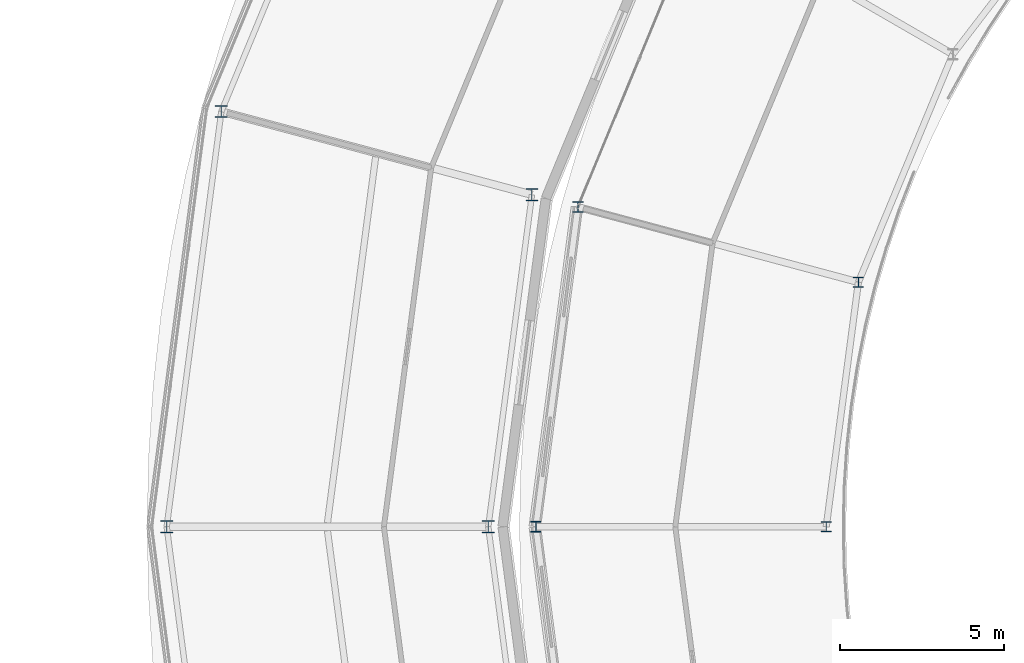
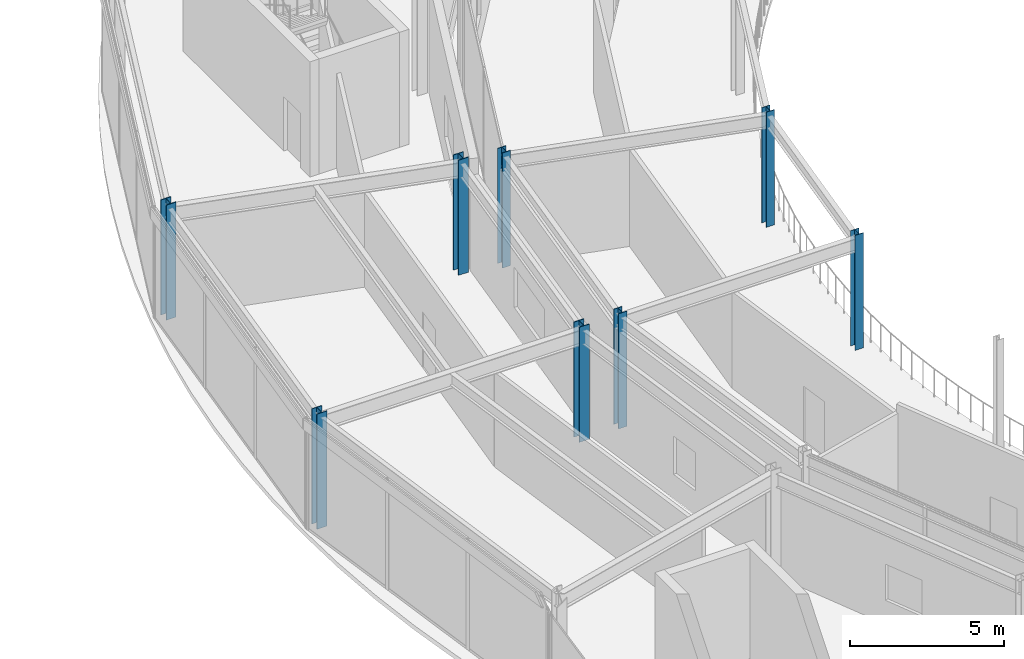
# One storey, part 5 of 157: 8 columns.
"""IFC4 building model written with IfcOpenShell, lengths in metres."""

from ifc_helpers import new_model, si_unit, direction, frame, origin, origin_2d, place, context, subcontext, project, spatial, i_section, extrude, material, material_profile, profile_set, type_object, element, save


model = new_model("IFC4")

# Units and contexts
model_context = context("Model", 3, precision=1e-05, world=origin(), true_north=direction((0.0, 1.0)))
body_context = subcontext(model_context, "Body", "Model", "MODEL_VIEW")
ifc_project = project(units=[si_unit("LENGTHUNIT", "METRE"), si_unit("AREAUNIT", "SQUARE_METRE"), si_unit("VOLUMEUNIT", "CUBIC_METRE"), si_unit("PLANEANGLEUNIT", "RADIAN"), si_unit("MASSUNIT", "GRAM", prefix="KILO")], contexts=[model_context])

# Site, building, storey
site_placement = place(None, origin())
site = spatial("IfcSite", under=ifc_project, at=site_placement, CompositionType="ELEMENT")
building_placement = place(site_placement, origin())
building = spatial("IfcBuilding", under=site, at=building_placement, Name="Almandine Court Research Institute", CompositionType="ELEMENT")
storey_placement = place(building_placement, frame((0.0, 0.0, 5.25)))
storey = spatial("IfcBuildingStorey", under=building, at=storey_placement, Name="L01", CompositionType="ELEMENT", Elevation=5.25)

# Columns
ifc_material = material(Name="Steel ASTM A992 Grade 50", Category="steel")
ifc_material_profile_1 = material_profile(ifc_material, i_section(OverallWidth=0.373046875, OverallDepth=0.367919921875, WebThickness=0.01708984375, FlangeThickness=0.027099609375, at=origin_2d()), Name="W360x179")
ifc_profile_set_1 = profile_set([ifc_material_profile_1], Name="Steel ASTM A992 Grade 50")
column_type_1 = type_object("IfcColumnType", Name="Col-C-W03-E", PredefinedType="COLUMN", material=ifc_profile_set_1)
for number, where, z_axis, x_axis, name in (
    (1, (49.23193359375, 66.1201171875, 0.0), (0.0, 0.0, 1.0), (1.0, 0.0, 0.0), "L01 V5 Column V5-IN-S11"),
    (2, (39.76611328125, 68.656005859375, 0.0), (0.0, 0.0, 1.0), (1.0, 0.0, 0.0), "L01 V5 Column V5-OUT-S11"),
    (3, (47.89990234375, 56.0, 0.0), (0.0, 0.0, 1.0), (1.0, 0.0, 0.0), "L01 V5 Column V5-IN-S12"),
    (4, (38.10009765625, 56.0, 0.0), (0.0, 0.0, 1.0), (1.0, 0.0, 0.0), "L01 V5 Column V5-OUT-S12"),
):
    element("IfcColumn", number, at=place(storey_placement, frame(where, z_axis=z_axis, x_axis=x_axis)), inside=storey, type_object=column_type_1, Name=name, PredefinedType="COLUMN", context=body_context, shape_type="SweptSolid", body=[
        extrude(i_section(OverallWidth=0.373046875, OverallDepth=0.367919921875, WebThickness=0.01708984375, FlangeThickness=0.027099609375, at=origin_2d()), origin(), (0.0, 0.0, 1.0), 4.550048828125),
    ])
ifc_material_profile_2 = material_profile(ifc_material, i_section(OverallWidth=0.31005859375, OverallDepth=0.326904296875, WebThickness=0.01611328125, FlangeThickness=0.02490234375, at=origin_2d()), Name="W310x158")
ifc_profile_set_2 = profile_set([ifc_material_profile_2], Name="Steel ASTM A992 Grade 50")
column_type_2 = type_object("IfcColumnType", Name="Col-C-W06", PredefinedType="COLUMN", material=ifc_profile_set_2)
for number, where, z_axis, x_axis, name in (
    (5, (50.633056640625, 65.7451171875, 0.0), (0.0, 0.0, 1.0), (1.0, 0.0, 0.0), "L01 V2 Column V2-OUT-S11"),
    (6, (49.35009765625, 56.0, 0.0), (0.0, 0.0, 1.0), (1.0, 0.0, 0.0), "L01 V2 Column V2-OUT-S12"),
):
    element("IfcColumn", number, at=place(storey_placement, frame(where, z_axis=z_axis, x_axis=x_axis)), inside=storey, type_object=column_type_2, Name=name, PredefinedType="COLUMN", context=body_context, shape_type="SweptSolid", body=[
        extrude(i_section(OverallWidth=0.31005859375, OverallDepth=0.326904296875, WebThickness=0.01611328125, FlangeThickness=0.02490234375, at=origin_2d()), origin(), (0.0, 0.0, 1.0), 4.550048828125),
    ])
ifc_material_profile_3 = material_profile(ifc_material, i_section(OverallWidth=0.305908203125, OverallDepth=0.31103515625, WebThickness=0.010986328125, FlangeThickness=0.01708984375, at=origin_2d()), Name="W310x107")
ifc_profile_set_3 = profile_set([ifc_material_profile_3], Name="Steel ASTM A992 Grade 50")
column_type_3 = type_object("IfcColumnType", Name="Col-C-W08", PredefinedType="COLUMN", material=ifc_profile_set_3)
for number, where, z_axis, x_axis, name in (
    (7, (59.180908203125, 63.4541015625, 0.0), (0.0, 0.0, 1.0), (1.0, 0.0, 0.0), "L01 V2 Column V2-MID-S11"),
    (8, (58.199951171875, 56.0, 0.0), (0.0, 0.0, 1.0), (1.0, 0.0, 0.0), "L01 V2 Column V2-MID-S12"),
):
    element("IfcColumn", number, at=place(storey_placement, frame(where, z_axis=z_axis, x_axis=x_axis)), inside=storey, type_object=column_type_3, Name=name, PredefinedType="COLUMN", context=body_context, shape_type="SweptSolid", body=[
        extrude(i_section(OverallWidth=0.305908203125, OverallDepth=0.31103515625, WebThickness=0.010986328125, FlangeThickness=0.01708984375, at=origin_2d()), origin(), (0.0, 0.0, 1.0), 4.550048828125),
    ])

save(model, "model.ifc")
